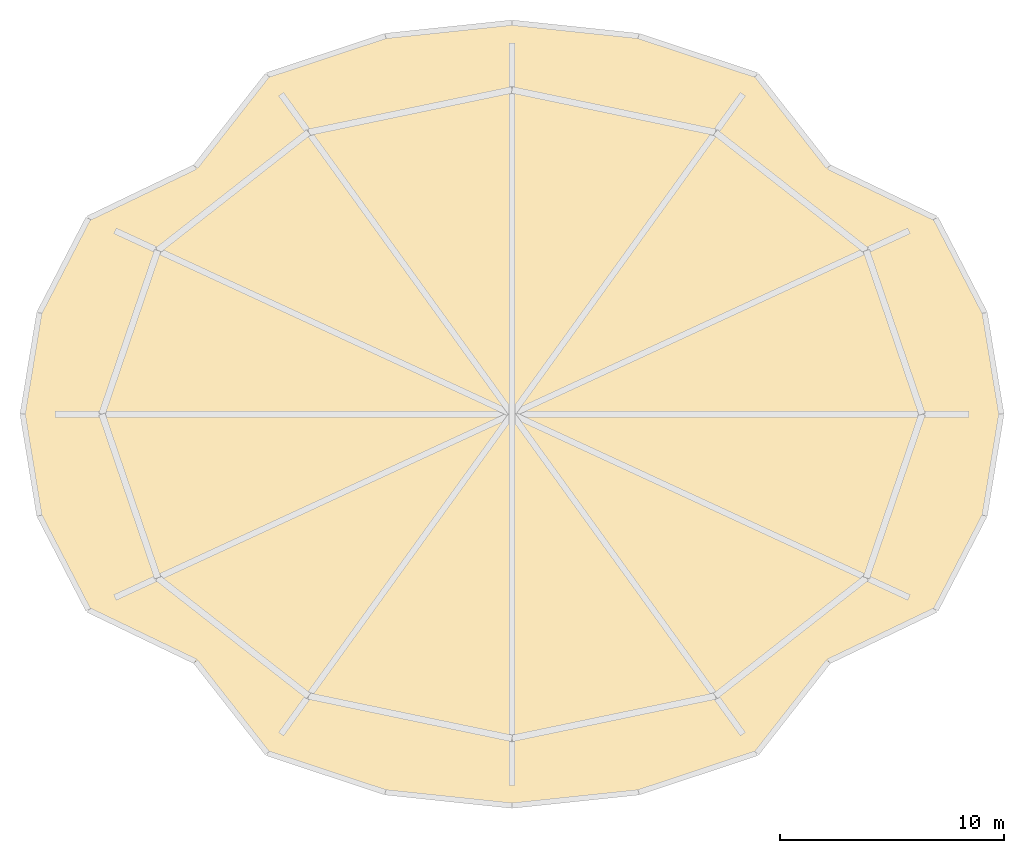
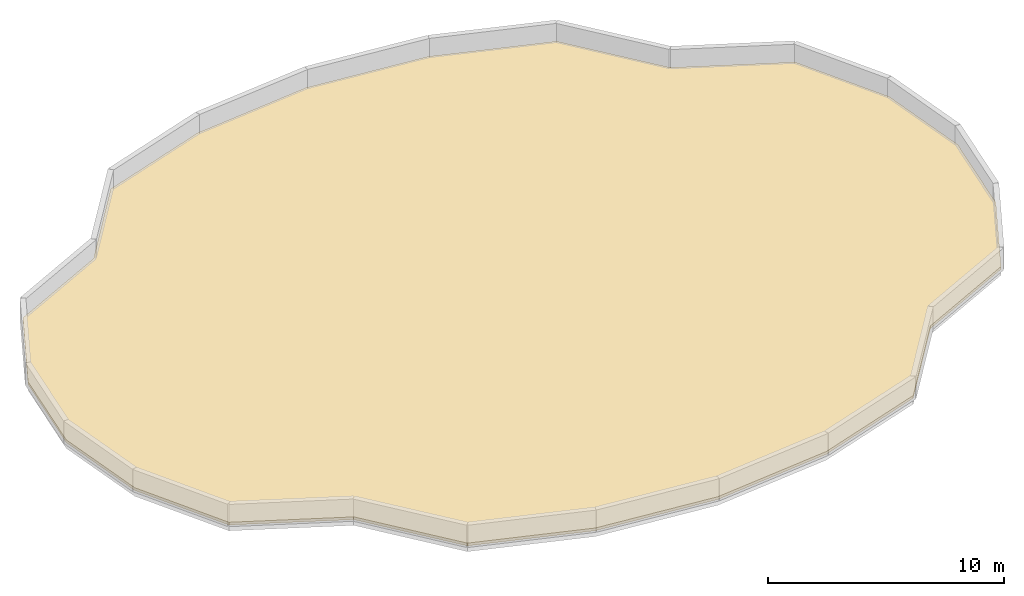
# One storey, part 2 of 2: 1 covering.
"""IFC4 building model written with IfcOpenShell, lengths in metres."""

from ifc_helpers import new_model, si_unit, direction, frame, origin, place, context, subcontext, project, spatial, polyline, outline, extrude, material, layer, layer_set, type_object, element, save


model = new_model("IFC4")

# Units and contexts
model_context = context("Model", 3, precision=1e-05, world=origin(), true_north=direction((0.0, 1.0)))
body_context = subcontext(model_context, "Body", "Model", "MODEL_VIEW")
ifc_project = project(units=[si_unit("LENGTHUNIT", "METRE"), si_unit("AREAUNIT", "SQUARE_METRE"), si_unit("VOLUMEUNIT", "CUBIC_METRE"), si_unit("PLANEANGLEUNIT", "RADIAN"), si_unit("MASSUNIT", "GRAM", prefix="KILO")], contexts=[model_context])

# Site, building, storey
site_placement = place(None, origin())
site = spatial("IfcSite", under=ifc_project, at=site_placement, CompositionType="ELEMENT")
building_placement = place(site_placement, origin())
building = spatial("IfcBuilding", under=site, at=building_placement, Name="Kolvaren Gate Tower and Convention Centre", CompositionType="ELEMENT")
storey_placement = place(building_placement, frame((0.0, 0.0, 291.300048828125)))
storey = spatial("IfcBuildingStorey", under=building, at=storey_placement, Name="RF", CompositionType="ELEMENT", Elevation=291.300048828125)

# Covering
ifc_material = material(Name="TPO Single-Ply Insulated Waterproofing Roof Membrane 140 mm", Category="membrane")
ifc_layer = layer(ifc_material, 0.139892578125)
ifc_layer_set = layer_set([ifc_layer], Name="TPO Single-Ply Insulated Waterproofing Roof Membrane 140 mm")
covering_type = type_object("IfcCoveringType", Name="ARCH-COV-ROOFING", PredefinedType="ROOFING", material=ifc_layer_set)
covering_placement = place(storey_placement, frame((0.0, 0.0, 0.300048828125)))
element("IfcCovering", 1, at=covering_placement, inside=storey, type_object=covering_type, Name="Crown Canopy Waterproofing Membrane Covering", PredefinedType="ROOFING", context=body_context, shape_type="SweptSolid", body=[
    extrude(outline(polyline([(51.927490234375, 27.0), (51.1845703125, 31.514404296875), (49.006591796875, 35.720947265625), (44.22607421875, 38.017822265625), (41.026123046875, 42.105224609375), (35.767822265625, 43.84765625), (30.125, 44.44189453125), (24.482177734375, 43.84765625), (19.223876953125, 42.105224609375), (16.02392578125, 38.017822265625), (11.243408203125, 35.720947265625), (9.0654296875, 31.514404296875), (8.322509765625, 27.0), (9.0654296875, 22.485595703125), (11.243408203125, 18.279052734375), (16.02392578125, 15.982177734375), (19.223876953125, 11.894775390625), (24.482177734375, 10.15234375), (30.125, 9.55810546875), (35.767822265625, 10.15234375), (41.026123046875, 11.894775390625), (44.22607421875, 15.982177734375), (49.006591796875, 18.279052734375), (51.1845703125, 22.485595703125), (51.927490234375, 27.0)])), origin(), (0.0, 0.0, 1.0), 0.139892578125),
])

save(model, "model.ifc")
